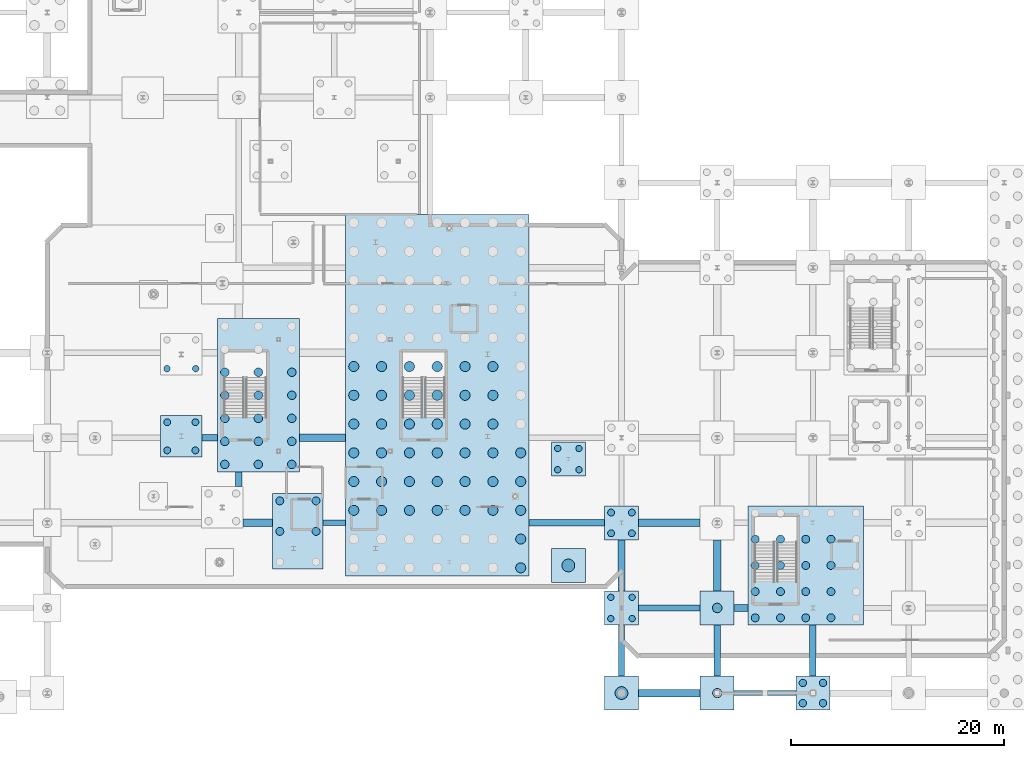
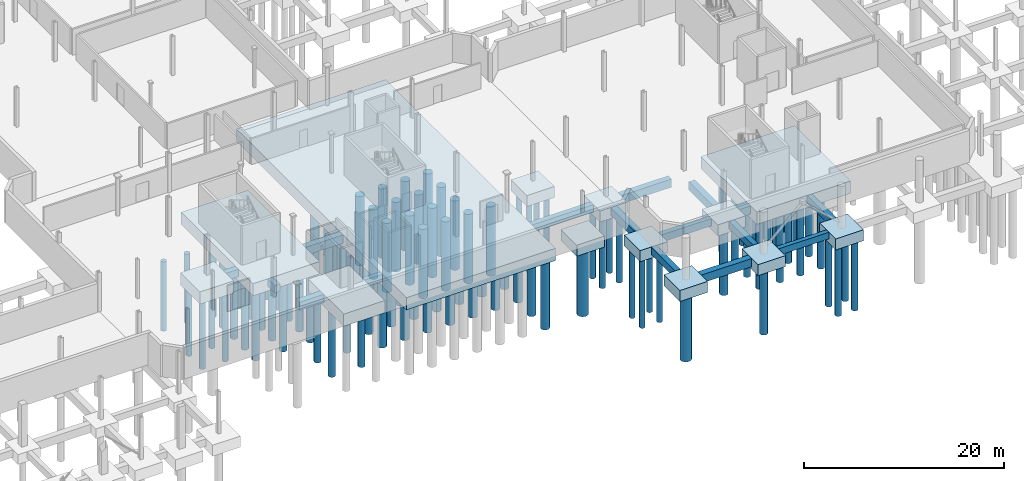
# One storey, part 4 of 37: 102 piles, 29 footings.
"""IFC4 building model written with IfcOpenShell, lengths in metres."""

from ifc_helpers import new_model, si_unit, direction, frame, origin, origin_2d, place, context, subcontext, project, spatial, polyline, rectangle, circle, outline, extrude, material, material_profile, profile_set, type_object, element, save


model = new_model("IFC4")

# Units and contexts
model_context = context("Model", 3, precision=1e-05, world=origin(), true_north=direction((0.0, 1.0)))
body_context = subcontext(model_context, "Body", "Model", "MODEL_VIEW")
ifc_project = project(units=[si_unit("LENGTHUNIT", "METRE"), si_unit("AREAUNIT", "SQUARE_METRE"), si_unit("VOLUMEUNIT", "CUBIC_METRE"), si_unit("PLANEANGLEUNIT", "RADIAN"), si_unit("MASSUNIT", "GRAM", prefix="KILO"), si_unit("THERMODYNAMICTEMPERATUREUNIT", "KELVIN"), si_unit("POWERUNIT", "WATT")], contexts=[model_context])

# Site, building, storey
site_placement = place(None, origin())
site = spatial("IfcSite", under=ifc_project, at=site_placement, CompositionType="ELEMENT")
building_placement = place(site_placement, origin())
building = spatial("IfcBuilding", under=site, at=building_placement, Name="Zelmaris Science Centre", CompositionType="ELEMENT")
storey_placement = place(building_placement, frame((0.0, 0.0, -4.800048828125)))
storey = spatial("IfcBuildingStorey", under=building, at=storey_placement, Name="B1", CompositionType="ELEMENT", Elevation=-4.800048828125)

# Footings
ifc_material = material(Name="Concrete C40/50", Category="concrete")
ifc_material_profile_1 = material_profile(ifc_material, rectangle(XDim=0.5, YDim=0.800048828125, at=origin_2d()), Name="FB-500X800")
ifc_profile_set_1 = profile_set([ifc_material_profile_1], Name="Concrete C40/50")
footing_type_1 = type_object("IfcFootingType", Name="Foundation Tie Beam FB-01 500x800", PredefinedType="FOOTING_BEAM", material=ifc_profile_set_1)
footing_1_placement = place(storey_placement, frame((118.60009765625, 8.0, -0.75), z_axis=(1.0, 0.0, 0.0), x_axis=(0.0, 1.0, 0.0)))
element("IfcFooting", 1, at=footing_1_placement, inside=storey, type_object=footing_type_1, Name="Foundation tie beam 94", PredefinedType="FOOTING_BEAM", context=body_context, shape_type="SweptSolid", body=[
    extrude(rectangle(XDim=0.5, YDim=0.800048828125, at=origin_2d()), origin(), (0.0, 0.0, 1.0), 5.7998046875),
])
footing_2_placement = place(storey_placement, frame((79.949951171875, 24.0, -0.75), z_axis=(1.0, 0.0, 0.0), x_axis=(0.0, 1.0, 0.0)))
element("IfcFooting", 2, at=footing_2_placement, inside=storey, type_object=footing_type_1, Name="Foundation tie beam 118", PredefinedType="FOOTING_BEAM", context=body_context, shape_type="SweptSolid", body=[
    extrude(rectangle(XDim=0.5, YDim=0.800048828125, at=origin_2d()), origin(), (0.0, 0.0, 1.0), 2.10009765625),
])
ifc_material_profile_2 = material_profile(ifc_material, rectangle(XDim=0.60009765625, YDim=0.89990234375, at=origin_2d()), Name="FB-600X900")
ifc_profile_set_2 = profile_set([ifc_material_profile_2], Name="Concrete C40/50")
footing_type_2 = type_object("IfcFootingType", Name="Foundation Tie Beam FB-02 600x900", PredefinedType="FOOTING_BEAM", material=ifc_profile_set_2)
footing_3_placement = place(storey_placement, frame((72.0, 27.4140625, -0.800048828125), z_axis=(0.0, 1.0, 0.0), x_axis=(-1.0, 0.0, 0.0)))
element("IfcFooting", 3, at=footing_3_placement, inside=storey, type_object=footing_type_2, Name="Foundation tie beam 38", PredefinedType="FOOTING_BEAM", context=body_context, shape_type="SweptSolid", body=[
    extrude(rectangle(XDim=0.60009765625, YDim=0.89990234375, at=origin_2d()), origin(), (0.0, 0.0, 1.0), 1.385986328125),
])
for number, where, z_axis, x_axis, name in (
    (4, (108.0, 9.60009765625, -0.800048828125), (0.0, 1.0, 0.0), (-1.0, 0.0, 0.0), "Foundation tie beam 53"),
    (5, (117.0, 9.60009765625, -0.800048828125), (0.0, 1.0, 0.0), (-1.0, 0.0, 0.0), "Foundation tie beam 62"),
    (6, (126.0, 9.60009765625, -0.800048828125), (0.0, 1.0, 0.0), (-1.0, 0.0, 0.0), "Foundation tie beam 68"),
):
    element("IfcFooting", number, at=place(storey_placement, frame(where, z_axis=z_axis, x_axis=x_axis)), inside=storey, type_object=footing_type_2, Name=name, PredefinedType="FOOTING_BEAM", context=body_context, shape_type="SweptSolid", body=[
        extrude(rectangle(XDim=0.60009765625, YDim=0.89990234375, at=origin_2d()), origin(), (0.0, 0.0, 1.0), 4.7998046875),
    ])
footing_4_placement = place(storey_placement, frame((109.60009765625, 16.0, -0.800048828125), z_axis=(1.0, 0.0, 0.0), x_axis=(0.0, 1.0, 0.0)))
element("IfcFooting", 7, at=footing_4_placement, inside=storey, type_object=footing_type_2, Name="Foundation tie beam 104", PredefinedType="FOOTING_BEAM", context=body_context, shape_type="SweptSolid", body=[
    extrude(rectangle(XDim=0.60009765625, YDim=0.89990234375, at=origin_2d()), origin(), (0.0, 0.0, 1.0), 5.7998046875),
])
footing_5_placement = place(storey_placement, frame((99.300048828125, 24.0, -0.800048828125), z_axis=(1.0, 0.0, 0.0), x_axis=(0.0, 1.0, 0.0)))
element("IfcFooting", 8, at=footing_5_placement, inside=storey, type_object=footing_type_2, Name="Foundation tie beam 119", PredefinedType="FOOTING_BEAM", context=body_context, shape_type="SweptSolid", body=[
    extrude(rectangle(XDim=0.60009765625, YDim=0.89990234375, at=origin_2d()), origin(), (0.0, 0.0, 1.0), 7.099853515625),
])
footing_6_placement = place(storey_placement, frame((68.55810546875, 32.0, -0.800048828125), z_axis=(1.0, 0.0, 0.0), x_axis=(0.0, 1.0, 0.0)))
element("IfcFooting", 9, at=footing_6_placement, inside=storey, type_object=footing_type_2, Name="Foundation tie beam 134", PredefinedType="FOOTING_BEAM", context=body_context, shape_type="SweptSolid", body=[
    extrude(rectangle(XDim=0.60009765625, YDim=0.89990234375, at=origin_2d()), origin(), (0.0, 0.0, 1.0), 1.44189453125),
])
ifc_material_profile_3 = material_profile(ifc_material, rectangle(XDim=0.699951171875, YDim=1.0, at=origin_2d()), Name="FB-700X1000")
ifc_profile_set_3 = profile_set([ifc_material_profile_3], Name="Concrete C40/50")
footing_type_3 = type_object("IfcFootingType", Name="Foundation Tie Beam FB-03 700x1000", PredefinedType="FOOTING_BEAM", material=ifc_profile_set_3)
for number, where, z_axis, x_axis, name in (
    (10, (108.0, 17.60009765625, -0.849853515625), (0.0, 1.0, 0.0), (-1.0, 0.0, 0.0), "Foundation tie beam 54"),
    (11, (117.0, 17.60009765625, -0.849853515625), (0.0, 1.0, 0.0), (-1.0, 0.0, 0.0), "Foundation tie beam 63"),
):
    element("IfcFooting", number, at=place(storey_placement, frame(where, z_axis=z_axis, x_axis=x_axis)), inside=storey, type_object=footing_type_3, Name=name, PredefinedType="FOOTING_BEAM", context=body_context, shape_type="SweptSolid", body=[
        extrude(rectangle(XDim=0.699951171875, YDim=1.0, at=origin_2d()), origin(), (0.0, 0.0, 1.0), 4.7998046875),
    ])
footing_7_placement = place(storey_placement, frame((109.60009765625, 8.0, -0.849853515625), z_axis=(1.0, 0.0, 0.0), x_axis=(0.0, 1.0, 0.0)))
element("IfcFooting", 12, at=footing_7_placement, inside=storey, type_object=footing_type_3, Name="Foundation tie beam 93", PredefinedType="FOOTING_BEAM", context=body_context, shape_type="SweptSolid", body=[
    extrude(rectangle(XDim=0.699951171875, YDim=1.0, at=origin_2d()), origin(), (0.0, 0.0, 1.0), 5.7998046875),
])
footing_8_placement = place(storey_placement, frame((118.60009765625, 16.0, -0.849853515625), z_axis=(1.0, 0.0, 0.0), x_axis=(0.0, 1.0, 0.0)))
element("IfcFooting", 13, at=footing_8_placement, inside=storey, type_object=footing_type_3, Name="Foundation tie beam 105", PredefinedType="FOOTING_BEAM", context=body_context, shape_type="SweptSolid", body=[
    extrude(rectangle(XDim=0.699951171875, YDim=1.0, at=origin_2d()), origin(), (0.0, 0.0, 1.0), 1.2998046875),
])
footing_9_placement = place(storey_placement, frame((72.4140625, 24.0, -0.849853515625), z_axis=(1.0, 0.0, 0.0), x_axis=(0.0, 1.0, 0.0)))
element("IfcFooting", 14, at=footing_9_placement, inside=storey, type_object=footing_type_3, Name="Foundation tie beam 117", PredefinedType="FOOTING_BEAM", context=body_context, shape_type="SweptSolid", body=[
    extrude(rectangle(XDim=0.699951171875, YDim=1.0, at=origin_2d()), origin(), (0.0, 0.0, 1.0), 2.780029296875),
])
footing_10_placement = place(storey_placement, frame((109.60009765625, 24.0, -0.849853515625), z_axis=(1.0, 0.0, 0.0), x_axis=(0.0, 1.0, 0.0)))
element("IfcFooting", 15, at=footing_10_placement, inside=storey, type_object=footing_type_3, Name="Foundation tie beam 120", PredefinedType="FOOTING_BEAM", context=body_context, shape_type="SweptSolid", body=[
    extrude(rectangle(XDim=0.699951171875, YDim=1.0, at=origin_2d()), origin(), (0.0, 0.0, 1.0), 5.7998046875),
])
footing_11_placement = place(storey_placement, frame((77.699951171875, 32.0, -0.849853515625), z_axis=(1.0, 0.0, 0.0), x_axis=(0.0, 1.0, 0.0)))
element("IfcFooting", 16, at=footing_11_placement, inside=storey, type_object=footing_type_3, Name="Foundation tie beam 135", PredefinedType="FOOTING_BEAM", context=body_context, shape_type="SweptSolid", body=[
    extrude(rectangle(XDim=0.699951171875, YDim=1.0, at=origin_2d()), origin(), (0.0, 0.0, 1.0), 4.35009765625),
])
footing_type_4 = type_object("IfcFootingType", Name="Pile Cap PCM-108112 10800x11200x1500", PredefinedType="PILE_CAP", material=ifc_material)
footing_12_placement = place(storey_placement, frame((0.0, 0.0, -1.849853515625)))
element("IfcFooting", 17, at=footing_12_placement, inside=storey, type_object=footing_type_4, Name="Pile cap 74", PredefinedType="PILE_CAP", context=body_context, shape_type="SweptSolid", body=[
    extrude(outline(polyline([(119.89990234375, 14.39990234375), (130.75, 14.39990234375), (130.75, 25.60009765625), (119.89990234375, 25.60009765625), (119.89990234375, 14.39990234375)])), origin(), (0.0, 0.0, 1.0), 1.5),
])
footing_type_5 = type_object("IfcFootingType", Name="Pile Cap PCM-172340 17200x34000x1500", PredefinedType="PILE_CAP", material=ifc_material)
footing_13_placement = place(storey_placement, frame((0.0, 0.0, -1.849853515625)))
element("IfcFooting", 18, at=footing_13_placement, inside=storey, type_object=footing_type_5, Name="Pile cap 48", PredefinedType="PILE_CAP", context=body_context, shape_type="SweptSolid", body=[
    extrude(outline(polyline([(82.050048828125, 19.0), (99.300048828125, 19.0), (99.300048828125, 53.0), (82.050048828125, 53.0), (82.050048828125, 19.0)])), origin(), (0.0, 0.0, 1.0), 1.5),
])
footing_type_6 = type_object("IfcFootingType", Name="Pile Cap PCM-3232 3200x3200x1350", PredefinedType="PILE_CAP", material=ifc_material)
footing_14_placement = place(storey_placement, frame((0.0, 0.0, -1.699951171875)))
element("IfcFooting", 19, at=footing_14_placement, inside=storey, type_object=footing_type_6, Name="Pile cap 60", PredefinedType="PILE_CAP", context=body_context, shape_type="SweptSolid", body=[
    extrude(outline(polyline([(106.39990234375, 6.39990234375), (109.60009765625, 6.39990234375), (109.60009765625, 9.60009765625), (106.39990234375, 9.60009765625), (106.39990234375, 6.39990234375)])), origin(), (0.0, 0.0, 1.0), 1.35009765625),
])
footing_15_placement = place(storey_placement, frame((0.0, 0.0, -1.699951171875)))
element("IfcFooting", 20, at=footing_15_placement, inside=storey, type_object=footing_type_6, Name="Pile cap 61", PredefinedType="PILE_CAP", context=body_context, shape_type="SweptSolid", body=[
    extrude(outline(polyline([(106.39990234375, 14.39990234375), (109.60009765625, 14.39990234375), (109.60009765625, 17.60009765625), (106.39990234375, 17.60009765625), (106.39990234375, 14.39990234375)])), origin(), (0.0, 0.0, 1.0), 1.35009765625),
])
footing_16_placement = place(storey_placement, frame((0.0, 0.0, -1.699951171875)))
element("IfcFooting", 21, at=footing_16_placement, inside=storey, type_object=footing_type_6, Name="Pile cap 62", PredefinedType="PILE_CAP", context=body_context, shape_type="SweptSolid", body=[
    extrude(outline(polyline([(106.39990234375, 22.39990234375), (109.60009765625, 22.39990234375), (109.60009765625, 25.60009765625), (106.39990234375, 25.60009765625), (106.39990234375, 22.39990234375)])), origin(), (0.0, 0.0, 1.0), 1.35009765625),
])
footing_17_placement = place(storey_placement, frame((0.0, 0.0, -1.699951171875)))
element("IfcFooting", 22, at=footing_17_placement, inside=storey, type_object=footing_type_6, Name="Pile cap 66", PredefinedType="PILE_CAP", context=body_context, shape_type="SweptSolid", body=[
    extrude(outline(polyline([(115.39990234375, 6.39990234375), (118.60009765625, 6.39990234375), (118.60009765625, 9.60009765625), (115.39990234375, 9.60009765625), (115.39990234375, 6.39990234375)])), origin(), (0.0, 0.0, 1.0), 1.35009765625),
])
footing_18_placement = place(storey_placement, frame((0.0, 0.0, -1.699951171875)))
element("IfcFooting", 23, at=footing_18_placement, inside=storey, type_object=footing_type_6, Name="Pile cap 67", PredefinedType="PILE_CAP", context=body_context, shape_type="SweptSolid", body=[
    extrude(outline(polyline([(115.39990234375, 14.39990234375), (118.60009765625, 14.39990234375), (118.60009765625, 17.60009765625), (115.39990234375, 17.60009765625), (115.39990234375, 14.39990234375)])), origin(), (0.0, 0.0, 1.0), 1.35009765625),
])
footing_19_placement = place(storey_placement, frame((0.0, 0.0, -1.699951171875)))
element("IfcFooting", 24, at=footing_19_placement, inside=storey, type_object=footing_type_6, Name="Pile cap 73", PredefinedType="PILE_CAP", context=body_context, shape_type="SweptSolid", body=[
    extrude(outline(polyline([(124.39990234375, 6.39990234375), (127.60009765625, 6.39990234375), (127.60009765625, 9.60009765625), (124.39990234375, 9.60009765625), (124.39990234375, 6.39990234375)])), origin(), (0.0, 0.0, 1.0), 1.35009765625),
])
footing_20_placement = place(storey_placement, frame((0.0, 0.0, -1.699951171875)))
element("IfcFooting", 25, at=footing_20_placement, inside=storey, type_object=footing_type_6, Name="Pile cap 120", PredefinedType="PILE_CAP", context=body_context, shape_type="SweptSolid", body=[
    extrude(outline(polyline([(101.39990234375, 18.39990234375), (104.60009765625, 18.39990234375), (104.60009765625, 21.60009765625), (101.39990234375, 21.60009765625), (101.39990234375, 18.39990234375)])), origin(), (0.0, 0.0, 1.0), 1.35009765625),
])
footing_21_placement = place(storey_placement, frame((0.0, 0.0, -1.699951171875)))
element("IfcFooting", 26, at=footing_21_placement, inside=storey, type_object=footing_type_6, Name="Pile cap 121", PredefinedType="PILE_CAP", context=body_context, shape_type="SweptSolid", body=[
    extrude(outline(polyline([(101.39990234375, 28.39990234375), (104.60009765625, 28.39990234375), (104.60009765625, 31.60009765625), (101.39990234375, 31.60009765625), (101.39990234375, 28.39990234375)])), origin(), (0.0, 0.0, 1.0), 1.35009765625),
])
footing_type_7 = type_object("IfcFootingType", Name="Pile Cap PCM-3939 3900x3900x1500", PredefinedType="PILE_CAP", material=ifc_material)
footing_22_placement = place(storey_placement, frame((0.0, 0.0, -1.849853515625)))
element("IfcFooting", 27, at=footing_22_placement, inside=storey, type_object=footing_type_7, Name="Pile cap 52", PredefinedType="PILE_CAP", context=body_context, shape_type="SweptSolid", body=[
    extrude(outline(polyline([(64.657958984375, 30.194091796875), (68.55810546875, 30.194091796875), (68.55810546875, 34.093994140625), (64.657958984375, 34.093994140625), (64.657958984375, 30.194091796875)])), origin(), (0.0, 0.0, 1.0), 1.5),
])
footing_type_8 = type_object("IfcFootingType", Name="Pile Cap PCM-4871 4800x7100x1500", PredefinedType="PILE_CAP", material=ifc_material)
footing_23_placement = place(storey_placement, frame((0.0, 0.0, -1.849853515625)))
element("IfcFooting", 28, at=footing_23_placement, inside=storey, type_object=footing_type_8, Name="Pile cap 54", PredefinedType="PILE_CAP", context=body_context, shape_type="SweptSolid", body=[
    extrude(outline(polyline([(75.194091796875, 19.657958984375), (79.949951171875, 19.657958984375), (79.949951171875, 26.75), (75.194091796875, 26.75), (75.194091796875, 19.657958984375)])), origin(), (0.0, 0.0, 1.0), 1.5),
])
footing_type_9 = type_object("IfcFootingType", Name="Pile Cap PCM-77144 7700x14400x1500", PredefinedType="PILE_CAP", material=ifc_material)
footing_24_placement = place(storey_placement, frame((0.0, 0.0, -1.849853515625)))
element("IfcFooting", 29, at=footing_24_placement, inside=storey, type_object=footing_type_9, Name="Pile cap 55", PredefinedType="PILE_CAP", context=body_context, shape_type="SweptSolid", body=[
    extrude(outline(polyline([(70.0, 28.800048828125), (77.699951171875, 28.800048828125), (77.699951171875, 43.199951171875), (70.0, 43.199951171875), (70.0, 28.800048828125)])), origin(), (0.0, 0.0, 1.0), 1.5),
])

# Piles
ifc_material_profile_4 = material_profile(ifc_material, circle(Radius=0.60009765625, at=origin_2d()), Name="PILE-1200")
ifc_profile_set_4 = profile_set([ifc_material_profile_4], Name="Concrete C40/50")
pile_type_1 = type_object("IfcPileType", Name="Pile PL-1200 D1200", PredefinedType="BORED", material=ifc_profile_set_4)
for number, where, z_axis, x_axis, name in (
    (30, (108.0, 8.0, -1.579833984375), (0.0, 0.0, -1.0), (1.0, 0.0, 0.0), "Bored pile 60-1"),
    (31, (103.0, 20.0, -1.579833984375), (0.0, 0.0, -1.0), (1.0, 0.0, 0.0), "Bored pile 120-1"),
):
    element("IfcPile", number, at=place(storey_placement, frame(where, z_axis=z_axis, x_axis=x_axis)), inside=storey, type_object=pile_type_1, Name=name, PredefinedType="BORED", context=body_context, shape_type="SweptSolid", body=[
        extrude(circle(Radius=0.60009765625, at=origin_2d()), origin(), (0.0, 0.0, 1.0), 8.6201171875),
    ])
ifc_material_profile_5 = material_profile(ifc_material, circle(Radius=0.300048828125, at=origin_2d()), Name="PILE-600")
ifc_profile_set_5 = profile_set([ifc_material_profile_5], Name="Concrete C40/50")
pile_type_2 = type_object("IfcPileType", Name="Pile PL-600 D600", PredefinedType="BORED", material=ifc_profile_set_5)
for number, where, z_axis, x_axis, name in (
    (32, (65.258056640625, 38.506103515625, -1.72998046875), (0.0, 0.0, -1.0), (1.0, 0.0, 0.0), "Bored pile 51-1"),
    (33, (67.9580078125, 38.506103515625, -1.72998046875), (0.0, 0.0, -1.0), (1.0, 0.0, 0.0), "Bored pile 51-3"),
):
    element("IfcPile", number, at=place(storey_placement, frame(where, z_axis=z_axis, x_axis=x_axis)), inside=storey, type_object=pile_type_2, Name=name, PredefinedType="BORED", context=body_context, shape_type="SweptSolid", body=[
        extrude(circle(Radius=0.300048828125, at=origin_2d()), origin(), (0.0, 0.0, 1.0), 8.469970703125),
    ])
for number, where, z_axis, x_axis, name in (
    (34, (107.0, 15.0, -1.579833984375), (0.0, 0.0, -1.0), (1.0, 0.0, 0.0), "Bored pile 61-1"),
    (35, (107.0, 17.0, -1.579833984375), (0.0, 0.0, -1.0), (1.0, 0.0, 0.0), "Bored pile 61-2"),
    (36, (109.0, 15.0, -1.579833984375), (0.0, 0.0, -1.0), (1.0, 0.0, 0.0), "Bored pile 61-3"),
    (37, (109.0, 17.0, -1.579833984375), (0.0, 0.0, -1.0), (1.0, 0.0, 0.0), "Bored pile 61-4"),
    (38, (102.0, 29.0, -1.579833984375), (0.0, 0.0, -1.0), (1.0, 0.0, 0.0), "Bored pile 121-1"),
    (39, (102.0, 31.0, -1.579833984375), (0.0, 0.0, -1.0), (1.0, 0.0, 0.0), "Bored pile 121-2"),
    (40, (104.0, 29.0, -1.579833984375), (0.0, 0.0, -1.0), (1.0, 0.0, 0.0), "Bored pile 121-3"),
    (41, (104.0, 31.0, -1.579833984375), (0.0, 0.0, -1.0), (1.0, 0.0, 0.0), "Bored pile 121-4"),
):
    element("IfcPile", number, at=place(storey_placement, frame(where, z_axis=z_axis, x_axis=x_axis)), inside=storey, type_object=pile_type_2, Name=name, PredefinedType="BORED", context=body_context, shape_type="SweptSolid", body=[
        extrude(circle(Radius=0.300048828125, at=origin_2d()), origin(), (0.0, 0.0, 1.0), 8.6201171875),
    ])
ifc_material_profile_6 = material_profile(ifc_material, circle(Radius=0.324951171875, at=origin_2d()), Name="PILE-650")
ifc_profile_set_6 = profile_set([ifc_material_profile_6], Name="Concrete C40/50")
pile_type_3 = type_object("IfcPileType", Name="Pile PL-650 D650", PredefinedType="BORED", material=ifc_profile_set_6)
for number, where, z_axis, x_axis, name in (
    (42, (65.282958984375, 30.819091796875, -1.72998046875), (0.0, 0.0, -1.0), (1.0, 0.0, 0.0), "Bored pile 52-1"),
    (43, (65.282958984375, 33.468994140625, -1.72998046875), (0.0, 0.0, -1.0), (1.0, 0.0, 0.0), "Bored pile 52-2"),
    (44, (67.93310546875, 30.819091796875, -1.72998046875), (0.0, 0.0, -1.0), (1.0, 0.0, 0.0), "Bored pile 52-3"),
    (45, (67.93310546875, 33.468994140625, -1.72998046875), (0.0, 0.0, -1.0), (1.0, 0.0, 0.0), "Bored pile 52-4"),
):
    element("IfcPile", number, at=place(storey_placement, frame(where, z_axis=z_axis, x_axis=x_axis)), inside=storey, type_object=pile_type_3, Name=name, PredefinedType="BORED", context=body_context, shape_type="SweptSolid", body=[
        extrude(circle(Radius=0.324951171875, at=origin_2d()), origin(), (0.0, 0.0, 1.0), 8.469970703125),
    ])
for number, where, z_axis, x_axis, name in (
    (46, (107.02490234375, 23.02490234375, -1.579833984375), (0.0, 0.0, -1.0), (1.0, 0.0, 0.0), "Bored pile 62-1"),
    (47, (107.02490234375, 24.97509765625, -1.579833984375), (0.0, 0.0, -1.0), (1.0, 0.0, 0.0), "Bored pile 62-2"),
    (48, (108.97509765625, 23.02490234375, -1.579833984375), (0.0, 0.0, -1.0), (1.0, 0.0, 0.0), "Bored pile 62-3"),
    (49, (108.97509765625, 24.97509765625, -1.579833984375), (0.0, 0.0, -1.0), (1.0, 0.0, 0.0), "Bored pile 62-4"),
):
    element("IfcPile", number, at=place(storey_placement, frame(where, z_axis=z_axis, x_axis=x_axis)), inside=storey, type_object=pile_type_3, Name=name, PredefinedType="BORED", context=body_context, shape_type="SweptSolid", body=[
        extrude(circle(Radius=0.324951171875, at=origin_2d()), origin(), (0.0, 0.0, 1.0), 8.6201171875),
    ])
ifc_material_profile_7 = material_profile(ifc_material, circle(Radius=0.35009765625, at=origin_2d()), Name="PILE-700")
ifc_profile_set_7 = profile_set([ifc_material_profile_7], Name="Concrete C40/50")
pile_type_4 = type_object("IfcPileType", Name="Pile PL-700 D700", PredefinedType="BORED", material=ifc_profile_set_7)
for number, where, z_axis, x_axis, name in (
    (50, (125.050048828125, 7.050048828125, -1.579833984375), (0.0, 0.0, -1.0), (1.0, 0.0, 0.0), "Bored pile 73-1"),
    (51, (125.050048828125, 8.949951171875, -1.579833984375), (0.0, 0.0, -1.0), (1.0, 0.0, 0.0), "Bored pile 73-2"),
    (52, (126.949951171875, 7.050048828125, -1.579833984375), (0.0, 0.0, -1.0), (1.0, 0.0, 0.0), "Bored pile 73-3"),
    (53, (126.949951171875, 8.949951171875, -1.579833984375), (0.0, 0.0, -1.0), (1.0, 0.0, 0.0), "Bored pile 73-4"),
):
    element("IfcPile", number, at=place(storey_placement, frame(where, z_axis=z_axis, x_axis=x_axis)), inside=storey, type_object=pile_type_4, Name=name, PredefinedType="BORED", context=body_context, shape_type="SweptSolid", body=[
        extrude(circle(Radius=0.35009765625, at=origin_2d()), origin(), (0.0, 0.0, 1.0), 8.6201171875),
    ])
ifc_material_profile_8 = material_profile(ifc_material, circle(Radius=0.375, at=origin_2d()), Name="PILE-750")
ifc_profile_set_8 = profile_set([ifc_material_profile_8], Name="Concrete C40/50")
pile_type_5 = type_object("IfcPileType", Name="Pile PL-750 D750", PredefinedType="BORED", material=ifc_profile_set_8)
for number, where, z_axis, x_axis, name in (
    (54, (75.868896484375, 23.2041015625, -1.72998046875), (0.0, 0.0, -1.0), (1.0, 0.0, 0.0), "Bored pile 54-2"),
    (55, (75.868896484375, 26.074951171875, -1.72998046875), (0.0, 0.0, -1.0), (1.0, 0.0, 0.0), "Bored pile 54-3"),
    (56, (79.27490234375, 23.2041015625, -1.72998046875), (0.0, 0.0, -1.0), (1.0, 0.0, 0.0), "Bored pile 54-5"),
    (57, (79.27490234375, 26.074951171875, -1.72998046875), (0.0, 0.0, -1.0), (1.0, 0.0, 0.0), "Bored pile 54-6"),
    (58, (120.574951171875, 15.074951171875, -1.72998046875), (0.0, 0.0, -1.0), (1.0, 0.0, 0.0), "Bored pile 74-1"),
    (59, (120.574951171875, 17.53759765625, -1.72998046875), (0.0, 0.0, -1.0), (1.0, 0.0, 0.0), "Bored pile 74-2"),
    (60, (120.574951171875, 20.0, -1.72998046875), (0.0, 0.0, -1.0), (1.0, 0.0, 0.0), "Bored pile 74-3"),
    (61, (120.574951171875, 22.46240234375, -1.72998046875), (0.0, 0.0, -1.0), (1.0, 0.0, 0.0), "Bored pile 74-4"),
    (62, (122.949951171875, 15.074951171875, -1.72998046875), (0.0, 0.0, -1.0), (1.0, 0.0, 0.0), "Bored pile 74-6"),
    (63, (122.949951171875, 17.53759765625, -1.72998046875), (0.0, 0.0, -1.0), (1.0, 0.0, 0.0), "Bored pile 74-7"),
    (64, (122.949951171875, 20.0, -1.72998046875), (0.0, 0.0, -1.0), (1.0, 0.0, 0.0), "Bored pile 74-8"),
    (65, (122.949951171875, 22.46240234375, -1.72998046875), (0.0, 0.0, -1.0), (1.0, 0.0, 0.0), "Bored pile 74-9"),
    (66, (125.324951171875, 15.074951171875, -1.72998046875), (0.0, 0.0, -1.0), (1.0, 0.0, 0.0), "Bored pile 74-11"),
    (67, (125.324951171875, 17.53759765625, -1.72998046875), (0.0, 0.0, -1.0), (1.0, 0.0, 0.0), "Bored pile 74-12"),
    (68, (125.324951171875, 20.0, -1.72998046875), (0.0, 0.0, -1.0), (1.0, 0.0, 0.0), "Bored pile 74-13"),
    (69, (125.324951171875, 22.46240234375, -1.72998046875), (0.0, 0.0, -1.0), (1.0, 0.0, 0.0), "Bored pile 74-14"),
    (70, (127.699951171875, 15.074951171875, -1.72998046875), (0.0, 0.0, -1.0), (1.0, 0.0, 0.0), "Bored pile 74-16"),
    (71, (127.699951171875, 17.53759765625, -1.72998046875), (0.0, 0.0, -1.0), (1.0, 0.0, 0.0), "Bored pile 74-17"),
    (72, (127.699951171875, 20.0, -1.72998046875), (0.0, 0.0, -1.0), (1.0, 0.0, 0.0), "Bored pile 74-18"),
    (73, (127.699951171875, 22.46240234375, -1.72998046875), (0.0, 0.0, -1.0), (1.0, 0.0, 0.0), "Bored pile 74-19"),
):
    element("IfcPile", number, at=place(storey_placement, frame(where, z_axis=z_axis, x_axis=x_axis)), inside=storey, type_object=pile_type_5, Name=name, PredefinedType="BORED", context=body_context, shape_type="SweptSolid", body=[
        extrude(circle(Radius=0.375, at=origin_2d()), origin(), (0.0, 0.0, 1.0), 8.469970703125),
    ])
ifc_material_profile_9 = material_profile(ifc_material, circle(Radius=0.39990234375, at=origin_2d()), Name="PILE-800")
ifc_profile_set_9 = profile_set([ifc_material_profile_9], Name="Concrete C40/50")
pile_type_6 = type_object("IfcPileType", Name="Pile PL-800 D800", PredefinedType="BORED", material=ifc_profile_set_9)
for number, where, z_axis, x_axis, name in (
    (74, (70.699951171875, 29.5, -1.72998046875), (0.0, 0.0, -1.0), (1.0, 0.0, 0.0), "Bored pile 55-1"),
    (75, (70.699951171875, 31.666748046875, -1.72998046875), (0.0, 0.0, -1.0), (1.0, 0.0, 0.0), "Bored pile 55-2"),
    (76, (70.699951171875, 33.833251953125, -1.72998046875), (0.0, 0.0, -1.0), (1.0, 0.0, 0.0), "Bored pile 55-3"),
    (77, (70.699951171875, 36.0, -1.72998046875), (0.0, 0.0, -1.0), (1.0, 0.0, 0.0), "Bored pile 55-4"),
    (78, (70.699951171875, 38.166748046875, -1.72998046875), (0.0, 0.0, -1.0), (1.0, 0.0, 0.0), "Bored pile 55-5"),
    (79, (73.85009765625, 29.5, -1.72998046875), (0.0, 0.0, -1.0), (1.0, 0.0, 0.0), "Bored pile 55-8"),
    (80, (73.85009765625, 31.666748046875, -1.72998046875), (0.0, 0.0, -1.0), (1.0, 0.0, 0.0), "Bored pile 55-9"),
    (81, (73.85009765625, 33.833251953125, -1.72998046875), (0.0, 0.0, -1.0), (1.0, 0.0, 0.0), "Bored pile 55-10"),
    (82, (73.85009765625, 36.0, -1.72998046875), (0.0, 0.0, -1.0), (1.0, 0.0, 0.0), "Bored pile 55-11"),
    (83, (73.85009765625, 38.166748046875, -1.72998046875), (0.0, 0.0, -1.0), (1.0, 0.0, 0.0), "Bored pile 55-12"),
    (84, (77.0, 29.5, -1.72998046875), (0.0, 0.0, -1.0), (1.0, 0.0, 0.0), "Bored pile 55-15"),
    (85, (77.0, 31.666748046875, -1.72998046875), (0.0, 0.0, -1.0), (1.0, 0.0, 0.0), "Bored pile 55-16"),
    (86, (77.0, 33.833251953125, -1.72998046875), (0.0, 0.0, -1.0), (1.0, 0.0, 0.0), "Bored pile 55-17"),
    (87, (77.0, 36.0, -1.72998046875), (0.0, 0.0, -1.0), (1.0, 0.0, 0.0), "Bored pile 55-18"),
    (88, (77.0, 38.166748046875, -1.72998046875), (0.0, 0.0, -1.0), (1.0, 0.0, 0.0), "Bored pile 55-19"),
):
    element("IfcPile", number, at=place(storey_placement, frame(where, z_axis=z_axis, x_axis=x_axis)), inside=storey, type_object=pile_type_6, Name=name, PredefinedType="BORED", context=body_context, shape_type="SweptSolid", body=[
        extrude(circle(Radius=0.39990234375, at=origin_2d()), origin(), (0.0, 0.0, 1.0), 8.469970703125),
    ])
ifc_material_profile_10 = material_profile(ifc_material, circle(Radius=0.425048828125, at=origin_2d()), Name="PILE-850")
ifc_profile_set_10 = profile_set([ifc_material_profile_10], Name="Concrete C40/50")
pile_type_7 = type_object("IfcPileType", Name="Pile PL-850 D850", PredefinedType="BORED", material=ifc_profile_set_10)
pile_1_placement = place(storey_placement, frame((117.0, 8.0, -1.579833984375), z_axis=(0.0, 0.0, -1.0), x_axis=(1.0, 0.0, 0.0)))
element("IfcPile", 89, at=pile_1_placement, inside=storey, type_object=pile_type_7, Name="Bored pile 66-1", PredefinedType="BORED", context=body_context, shape_type="SweptSolid", body=[
    extrude(circle(Radius=0.425048828125, at=origin_2d()), origin(), (0.0, 0.0, 1.0), 8.6201171875),
])
ifc_material_profile_11 = material_profile(ifc_material, circle(Radius=0.449951171875, at=origin_2d()), Name="PILE-900")
ifc_profile_set_11 = profile_set([ifc_material_profile_11], Name="Concrete C40/50")
pile_type_8 = type_object("IfcPileType", Name="Pile PL-900 D900", PredefinedType="BORED", material=ifc_profile_set_11)
pile_2_placement = place(storey_placement, frame((117.0, 16.0, -1.579833984375), z_axis=(0.0, 0.0, -1.0), x_axis=(1.0, 0.0, 0.0)))
element("IfcPile", 90, at=pile_2_placement, inside=storey, type_object=pile_type_8, Name="Bored pile 67-1", PredefinedType="BORED", context=body_context, shape_type="SweptSolid", body=[
    extrude(circle(Radius=0.449951171875, at=origin_2d()), origin(), (0.0, 0.0, 1.0), 8.6201171875),
])
ifc_material_profile_12 = material_profile(ifc_material, circle(Radius=0.47509765625, at=origin_2d()), Name="PILE-950")
ifc_profile_set_12 = profile_set([ifc_material_profile_12], Name="Concrete C40/50")
pile_type_9 = type_object("IfcPileType", Name="Pile PL-950 D950", PredefinedType="BORED", material=ifc_profile_set_12)
for number, where, z_axis, x_axis, name in (
    (91, (82.824951171875, 25.183349609375, -1.72998046875), (0.0, 0.0, -1.0), (1.0, 0.0, 0.0), "Bored pile 48-3"),
    (92, (82.824951171875, 27.887451171875, -1.72998046875), (0.0, 0.0, -1.0), (1.0, 0.0, 0.0), "Bored pile 48-4"),
    (93, (82.824951171875, 30.591796875, -1.72998046875), (0.0, 0.0, -1.0), (1.0, 0.0, 0.0), "Bored pile 48-5"),
    (94, (82.824951171875, 33.2958984375, -1.72998046875), (0.0, 0.0, -1.0), (1.0, 0.0, 0.0), "Bored pile 48-6"),
    (95, (82.824951171875, 36.0, -1.72998046875), (0.0, 0.0, -1.0), (1.0, 0.0, 0.0), "Bored pile 48-7"),
    (96, (82.824951171875, 38.7041015625, -1.72998046875), (0.0, 0.0, -1.0), (1.0, 0.0, 0.0), "Bored pile 48-8"),
    (97, (85.441650390625, 25.183349609375, -1.72998046875), (0.0, 0.0, -1.0), (1.0, 0.0, 0.0), "Bored pile 48-16"),
    (98, (85.441650390625, 27.887451171875, -1.72998046875), (0.0, 0.0, -1.0), (1.0, 0.0, 0.0), "Bored pile 48-17"),
    (99, (85.441650390625, 30.591796875, -1.72998046875), (0.0, 0.0, -1.0), (1.0, 0.0, 0.0), "Bored pile 48-18"),
    (100, (85.441650390625, 33.2958984375, -1.72998046875), (0.0, 0.0, -1.0), (1.0, 0.0, 0.0), "Bored pile 48-19"),
    (101, (85.441650390625, 36.0, -1.72998046875), (0.0, 0.0, -1.0), (1.0, 0.0, 0.0), "Bored pile 48-20"),
    (102, (85.441650390625, 38.7041015625, -1.72998046875), (0.0, 0.0, -1.0), (1.0, 0.0, 0.0), "Bored pile 48-21"),
    (103, (88.058349609375, 25.183349609375, -1.72998046875), (0.0, 0.0, -1.0), (1.0, 0.0, 0.0), "Bored pile 48-29"),
    (104, (88.058349609375, 27.887451171875, -1.72998046875), (0.0, 0.0, -1.0), (1.0, 0.0, 0.0), "Bored pile 48-30"),
    (105, (88.058349609375, 30.591796875, -1.72998046875), (0.0, 0.0, -1.0), (1.0, 0.0, 0.0), "Bored pile 48-31"),
    (106, (88.058349609375, 33.2958984375, -1.72998046875), (0.0, 0.0, -1.0), (1.0, 0.0, 0.0), "Bored pile 48-32"),
    (107, (88.058349609375, 36.0, -1.72998046875), (0.0, 0.0, -1.0), (1.0, 0.0, 0.0), "Bored pile 48-33"),
    (108, (88.058349609375, 38.7041015625, -1.72998046875), (0.0, 0.0, -1.0), (1.0, 0.0, 0.0), "Bored pile 48-34"),
    (109, (90.675048828125, 25.183349609375, -1.72998046875), (0.0, 0.0, -1.0), (1.0, 0.0, 0.0), "Bored pile 48-42"),
    (110, (90.675048828125, 27.887451171875, -1.72998046875), (0.0, 0.0, -1.0), (1.0, 0.0, 0.0), "Bored pile 48-43"),
    (111, (90.675048828125, 30.591796875, -1.72998046875), (0.0, 0.0, -1.0), (1.0, 0.0, 0.0), "Bored pile 48-44"),
    (112, (90.675048828125, 33.2958984375, -1.72998046875), (0.0, 0.0, -1.0), (1.0, 0.0, 0.0), "Bored pile 48-45"),
    (113, (90.675048828125, 36.0, -1.72998046875), (0.0, 0.0, -1.0), (1.0, 0.0, 0.0), "Bored pile 48-46"),
    (114, (90.675048828125, 38.7041015625, -1.72998046875), (0.0, 0.0, -1.0), (1.0, 0.0, 0.0), "Bored pile 48-47"),
    (115, (93.291748046875, 25.183349609375, -1.72998046875), (0.0, 0.0, -1.0), (1.0, 0.0, 0.0), "Bored pile 48-55"),
    (116, (93.291748046875, 27.887451171875, -1.72998046875), (0.0, 0.0, -1.0), (1.0, 0.0, 0.0), "Bored pile 48-56"),
    (117, (93.291748046875, 30.591796875, -1.72998046875), (0.0, 0.0, -1.0), (1.0, 0.0, 0.0), "Bored pile 48-57"),
    (118, (93.291748046875, 33.2958984375, -1.72998046875), (0.0, 0.0, -1.0), (1.0, 0.0, 0.0), "Bored pile 48-58"),
    (119, (93.291748046875, 36.0, -1.72998046875), (0.0, 0.0, -1.0), (1.0, 0.0, 0.0), "Bored pile 48-59"),
    (120, (93.291748046875, 38.7041015625, -1.72998046875), (0.0, 0.0, -1.0), (1.0, 0.0, 0.0), "Bored pile 48-60"),
    (121, (95.908203125, 25.183349609375, -1.72998046875), (0.0, 0.0, -1.0), (1.0, 0.0, 0.0), "Bored pile 48-68"),
    (122, (95.908203125, 27.887451171875, -1.72998046875), (0.0, 0.0, -1.0), (1.0, 0.0, 0.0), "Bored pile 48-69"),
    (123, (95.908203125, 30.591796875, -1.72998046875), (0.0, 0.0, -1.0), (1.0, 0.0, 0.0), "Bored pile 48-70"),
    (124, (95.908203125, 33.2958984375, -1.72998046875), (0.0, 0.0, -1.0), (1.0, 0.0, 0.0), "Bored pile 48-71"),
    (125, (95.908203125, 36.0, -1.72998046875), (0.0, 0.0, -1.0), (1.0, 0.0, 0.0), "Bored pile 48-72"),
    (126, (95.908203125, 38.7041015625, -1.72998046875), (0.0, 0.0, -1.0), (1.0, 0.0, 0.0), "Bored pile 48-73"),
    (127, (98.52490234375, 19.77490234375, -1.72998046875), (0.0, 0.0, -1.0), (1.0, 0.0, 0.0), "Bored pile 48-79"),
    (128, (98.52490234375, 22.479248046875, -1.72998046875), (0.0, 0.0, -1.0), (1.0, 0.0, 0.0), "Bored pile 48-80"),
    (129, (98.52490234375, 25.183349609375, -1.72998046875), (0.0, 0.0, -1.0), (1.0, 0.0, 0.0), "Bored pile 48-81"),
    (130, (98.52490234375, 27.887451171875, -1.72998046875), (0.0, 0.0, -1.0), (1.0, 0.0, 0.0), "Bored pile 48-82"),
    (131, (98.52490234375, 30.591796875, -1.72998046875), (0.0, 0.0, -1.0), (1.0, 0.0, 0.0), "Bored pile 48-83"),
):
    element("IfcPile", number, at=place(storey_placement, frame(where, z_axis=z_axis, x_axis=x_axis)), inside=storey, type_object=pile_type_9, Name=name, PredefinedType="BORED", context=body_context, shape_type="SweptSolid", body=[
        extrude(circle(Radius=0.47509765625, at=origin_2d()), origin(), (0.0, 0.0, 1.0), 8.469970703125),
    ])

save(model, "model.ifc")
